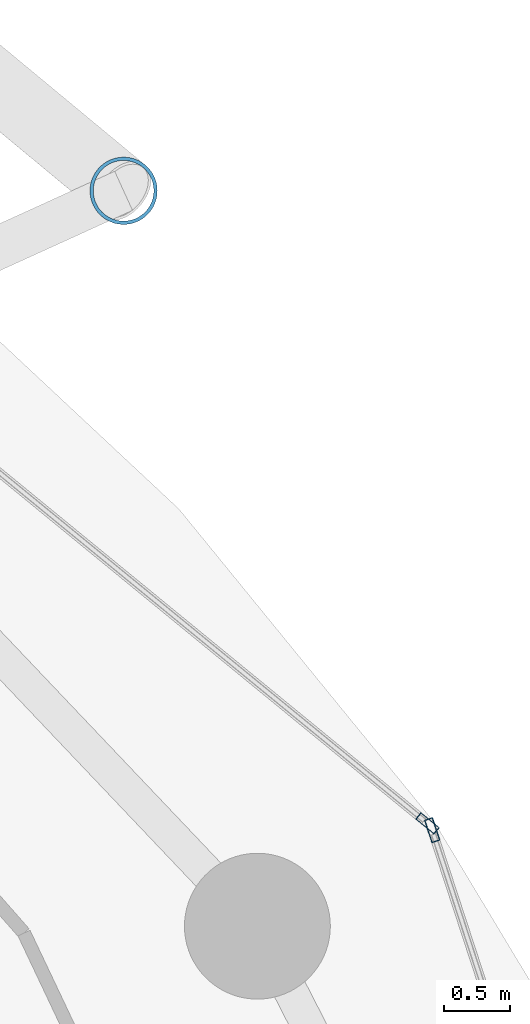
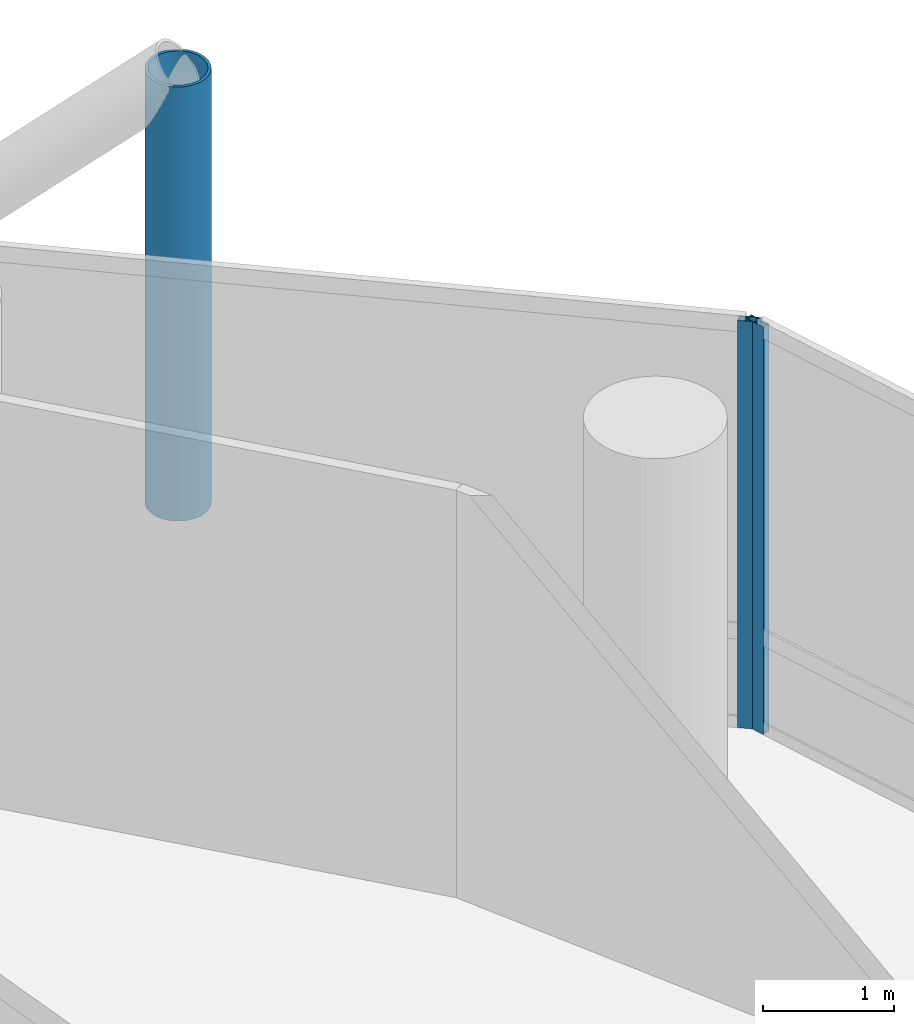
# One storey, part 19 of 26: 3 members, 2 elements without a shape of their own.
"""IFC4 building model written with IfcOpenShell, lengths in metres."""

import ifcopenshell
import ifcopenshell.guid

model = None  # the IFC model being written
_history = None  # IfcOwnerHistory: only IFC2X3 demands one
_inside = {}  # id of a spatial element -> (the spatial element, [elements in it])
_under = {}  # id of a project, library or spatial element -> (it, [spatial elements below it])
_declared = {}  # id of a project -> (the project, [libraries it declares])
_typed = {}  # id of a type object -> (the type object, [elements of that type])
_made_of = {}  # id of a material, layer set ... -> (it, [elements and type objects made of it])


def new_model(schema):
    """Start an empty IFC model of exactly this schema.

    Asked for "IFC4X3", IfcOpenShell would pick the latest addendum, in which some entities
    have other attributes; the version numbers below select the first issue.
    IFC2X3 requires an IfcOwnerHistory on every rooted entity: one is made here for all.
    """
    global model, _history
    if schema == "IFC4X3":
        model = ifcopenshell.file(schema_version=(4, 3, 0, 0))
    else:
        model = ifcopenshell.file(schema=schema)
    _inside.clear()
    _under.clear()
    _declared.clear()
    _typed.clear()
    _made_of.clear()
    _history = None
    if model.schema == "IFC2X3":
        org = make("IfcOrganization", Name="unknown")
        user = make(
            "IfcPersonAndOrganization",
            ThePerson=make("IfcPerson", FamilyName="unknown"),
            TheOrganization=org,
        )
        app = make(
            "IfcApplication",
            ApplicationDeveloper=org,
            Version="unknown",
            ApplicationFullName="unknown",
            ApplicationIdentifier="unknown",
        )
        _history = make(
            "IfcOwnerHistory",
            OwningUser=user,
            OwningApplication=app,
            ChangeAction="ADDED",
            CreationDate=0,
        )
    return model


def make(cls, **values):
    """One entity of the class cls with the attributes given. An attribute that is None is left unset."""
    return model.create_entity(
        cls, **{name: value for name, value in values.items() if value is not None}
    )


def rooted(cls, **values):
    """An entity with a GlobalId (a new one), such as an element, a storey or a relation."""
    return make(cls, GlobalId=ifcopenshell.guid.new(), OwnerHistory=_history, **values)


def si_unit(unit_type, name, prefix=None):
    """IfcSIUnit, for example si_unit("LENGTHUNIT", "METRE", prefix="MILLI")."""
    return make("IfcSIUnit", UnitType=unit_type, Prefix=prefix, Name=name)


def assignment(units):
    """IfcUnitAssignment: the units of a project."""
    return None if units is None else make("IfcUnitAssignment", Units=units)


def point(xyz):
    """IfcCartesianPoint."""
    return None if xyz is None else make("IfcCartesianPoint", Coordinates=xyz)


def direction(xyz):
    """IfcDirection."""
    return None if xyz is None else make("IfcDirection", DirectionRatios=xyz)


def frame(location, z_axis=None, x_axis=None):
    """IfcAxis2Placement3D, a coordinate frame: its origin and axes. An axis left out is left unset."""
    return make(
        "IfcAxis2Placement3D",
        Location=point(location),
        Axis=direction(z_axis),
        RefDirection=direction(x_axis),
    )


def frame_2d(location, x_axis=None):
    """IfcAxis2Placement2D, a coordinate frame in the plane: its origin and x axis."""
    return make(
        "IfcAxis2Placement2D", Location=point(location), RefDirection=direction(x_axis)
    )


def origin():
    """The frame at (0, 0, 0) with its axes left unset."""
    return frame((0.0, 0.0, 0.0))


def origin_2d():
    """The frame at (0, 0) in the plane with its x axis left unset."""
    return frame_2d((0.0, 0.0))


def place(relative_to, where):
    """IfcLocalPlacement: puts the frame where relative to a parent placement (None: the world)."""
    return make(
        "IfcLocalPlacement", PlacementRelTo=relative_to, RelativePlacement=where
    )


def context(
    kind, dimensions, precision=None, world=None, true_north=None, identifier=None
):
    """IfcGeometricRepresentationContext, for example the 3D "Model" context."""
    return make(
        "IfcGeometricRepresentationContext",
        ContextIdentifier=identifier,
        ContextType=kind,
        CoordinateSpaceDimension=dimensions,
        Precision=precision,
        WorldCoordinateSystem=world,
        TrueNorth=true_north,
    )


def subcontext(parent, identifier, kind, view, scale=None):
    """IfcGeometricRepresentationSubContext, for example "Body" below "Model"."""
    return make(
        "IfcGeometricRepresentationSubContext",
        ContextIdentifier=identifier,
        ContextType=kind,
        ParentContext=parent,
        TargetScale=scale,
        TargetView=view,
    )


def project(units=None, contexts=None):
    """IfcProject with its units and contexts."""
    return rooted(
        "IfcProject",
        Name="project",
        RepresentationContexts=contexts,
        UnitsInContext=assignment(units),
    )


def spatial(cls, under=None, at=None, **own):
    """A site, building, storey or space (cls), placed at a placement, below another one or the project."""
    s = rooted(cls, ObjectPlacement=at, **own)
    if under is not None:
        _under.setdefault(under.id(), (under, []))[1].append(s)
    return s


def profile(cls, at=None, kind="AREA", **sizes):
    """A parametric profile (cls). Its sizes go by their IFC names, for example OverallWidth=200.0."""
    return make(cls, ProfileType=kind, Position=at, **sizes)


def hollow_rectangle(**sizes):
    """IfcRectangleHollowProfileDef."""
    return profile("IfcRectangleHollowProfileDef", **sizes)


def hollow_circle(**sizes):
    """IfcCircleHollowProfileDef."""
    return profile("IfcCircleHollowProfileDef", **sizes)


def extrude(swept, where, along, depth):
    """IfcExtrudedAreaSolid: the profile swept, set in the frame where, extruded along a direction by depth."""
    return make(
        "IfcExtrudedAreaSolid",
        SweptArea=swept,
        Position=where,
        ExtrudedDirection=direction(along),
        Depth=depth,
    )


def shape(context_of_items, identifier, shape_type, items):
    """IfcShapeRepresentation: the items that make up one representation, for example the "Body"."""
    return make(
        "IfcShapeRepresentation",
        ContextOfItems=context_of_items,
        RepresentationIdentifier=identifier,
        RepresentationType=shape_type,
        Items=items,
    )


def material(Name=None, Category=None):
    """IfcMaterial."""
    return make("IfcMaterial", Name=Name, Category=Category)


def layer(
    of_material, thickness, ventilated=None, Name=None, Category=None, Priority=None
):
    """IfcMaterialLayer: one layer of a wall or slab, of a material (None: an air gap)."""
    return make(
        "IfcMaterialLayer",
        Material=of_material,
        LayerThickness=thickness,
        IsVentilated=ventilated,
        Name=Name,
        Category=Category,
        Priority=Priority,
    )


def layer_set(layers, Name=None):
    """IfcMaterialLayerSet."""
    return make("IfcMaterialLayerSet", MaterialLayers=layers, LayerSetName=Name)


def material_profile(
    of_material, cross_section, Name=None, Category=None, Priority=None
):
    """IfcMaterialProfile: a cross section and its material."""
    return make(
        "IfcMaterialProfile",
        Name=Name,
        Material=of_material,
        Profile=cross_section,
        Priority=Priority,
        Category=Category,
    )


def profile_set(profiles, Name=None, composite=None):
    """IfcMaterialProfileSet."""
    return make(
        "IfcMaterialProfileSet",
        Name=Name,
        MaterialProfiles=profiles,
        CompositeProfile=composite,
    )


def made_of(thing, what):
    """Note that an element or type object is made of a material, layer set ...; save() writes the relation."""
    if what is not None:
        _made_of.setdefault(what.id(), (what, []))[1].append(thing)
    return thing


def type_object(cls, material=None, **own):
    """A type object (cls), such as IfcWallType, which elements share."""
    return made_of(rooted(cls, **own), material)


def element(
    cls,
    number,
    at=None,
    inside=None,
    cuts=None,
    type_object=None,
    material=None,
    context=None,
    identifier="Body",
    shape_type=None,
    held_by="IfcProductDefinitionShape",
    body=None,
    shapes=None,
    **own,
):
    """One element of the class cls, such as IfcWall. Its Tag is "e" and its number.

    at: its placement. inside: the storey or other place that contains it. cuts: it is an
    opening in that element (IfcRelVoidsElement). A single representation is given by context,
    identifier, shape_type and body (its items); several are given by shapes. held_by: the class
    of the entity that holds the representations. save() writes the other relations.
    """
    e = rooted(cls, Tag="e%d" % number, ObjectPlacement=at, **own)
    if body is not None:
        shapes = [shape(context, identifier, shape_type, body)]
    if shapes is not None:
        e.Representation = make(held_by, Representations=shapes)
    if inside is not None:
        _inside.setdefault(inside.id(), (inside, []))[1].append(e)
    if cuts is not None:
        rooted(
            "IfcRelVoidsElement", RelatingBuildingElement=cuts, RelatedOpeningElement=e
        )
    if type_object is not None:
        _typed.setdefault(type_object.id(), (type_object, []))[1].append(e)
    return made_of(e, material)


def aggregate(whole, parts):
    """IfcRelAggregates: a whole, such as a stair, and the parts it consists of."""
    return rooted("IfcRelAggregates", RelatingObject=whole, RelatedObjects=parts)


def save(model, path):
    """Write the relations noted so far, then the file.

    IfcRelAggregates (storeys below a building ...), IfcRelContainedInSpatialStructure (elements
    in a storey), IfcRelDefinesByType, IfcRelAssociatesMaterial and IfcRelDeclares: one each for
    every whole, place, type object, material and project.
    """
    for whole, parts in _under.values():
        aggregate(whole, parts)
    for where, things in _inside.values():
        rooted(
            "IfcRelContainedInSpatialStructure",
            RelatedElements=things,
            RelatingStructure=where,
        )
    for kind, things in _typed.values():
        rooted("IfcRelDefinesByType", RelatedObjects=things, RelatingType=kind)
    for what, things in _made_of.values():
        rooted("IfcRelAssociatesMaterial", RelatedObjects=things, RelatingMaterial=what)
    for by, libraries in _declared.values():
        rooted("IfcRelDeclares", RelatingContext=by, RelatedDefinitions=libraries)
    model.write(path)


model = new_model("IFC4")

# Units and contexts
model_context = context("Model", 3, precision=1e-05, world=origin(), true_north=direction((0.0, 1.0)))
body_context = subcontext(model_context, "Body", "Model", "MODEL_VIEW")
ifc_project = project(units=[si_unit("LENGTHUNIT", "METRE"), si_unit("AREAUNIT", "SQUARE_METRE"), si_unit("VOLUMEUNIT", "CUBIC_METRE"), si_unit("PLANEANGLEUNIT", "RADIAN"), si_unit("MASSUNIT", "GRAM", prefix="KILO")], contexts=[model_context])

# Site, building, storey
site_placement = place(None, origin())
site = spatial("IfcSite", under=ifc_project, at=site_placement, CompositionType="ELEMENT")
building_placement = place(site_placement, origin())
building = spatial("IfcBuilding", under=site, at=building_placement, Name="Nuhasar Tower", CompositionType="ELEMENT")
storey_placement = place(building_placement, frame((0.0, 0.0, 97.949951171875)))
storey = spatial("IfcBuildingStorey", under=building, at=storey_placement, Name="L23", CompositionType="ELEMENT", Elevation=97.949951171875)

# Curtain wall, member
ifc_material_1 = material(Name="Aluminium 6063-T6", Category="aluminium")
ifc_layer = layer(ifc_material_1, 0.199951171875)
ifc_layer_set = layer_set([ifc_layer], Name="Aluminium 6063-T6")
curtain_wall_type = type_object("IfcCurtainWallType", Name="CW-Z1-OFF", PredefinedType="NOTDEFINED", material=ifc_layer_set)
curtain_wall_1_placement = place(storey_placement, origin())
curtain_wall_1 = element("IfcCurtainWall", 1, at=curtain_wall_1_placement, inside=storey, type_object=curtain_wall_type, Name="L23 Unitised Curtain Wall 01", PredefinedType="NOTDEFINED")
ifc_material_profile_1 = material_profile(ifc_material_1, hollow_rectangle(XDim=0.06494140625, YDim=0.179931640625, WallThickness=0.0048828125, at=origin_2d()), Name="CWM-2")
ifc_profile_set_1 = profile_set([ifc_material_profile_1], Name="Aluminium 6063-T6")
member_type_1 = type_object("IfcMemberType", Name="CW-MUL-S2", PredefinedType="MULLION", material=ifc_profile_set_1)
member_1_placement = place(storey_placement, frame((62.01220703125, 37.649169921875, 0.0), z_axis=(0.0, 0.0, 1.0), x_axis=(-0.950467534571, -0.310823849997, 0.0)))
member_1 = element("IfcMember", 2, at=member_1_placement, type_object=member_type_1, Name="CW-Z1 mullion 2", PredefinedType="MULLION", context=body_context, shape_type="SweptSolid", body=[
    extrude(hollow_rectangle(XDim=0.06494140625, YDim=0.179931640625, WallThickness=0.0048828125, at=origin_2d()), origin(), (0.0, 0.0, 1.0), 3.800048828125),
])
aggregate(curtain_wall_1, [member_1])

curtain_wall_2_placement = place(storey_placement, origin())
curtain_wall_2 = element("IfcCurtainWall", 3, at=curtain_wall_2_placement, inside=storey, type_object=curtain_wall_type, Name="L23 Unitised Curtain Wall 02", PredefinedType="NOTDEFINED")
member_2_placement = place(storey_placement, frame((61.976806640625, 37.70068359375, 0.0), z_axis=(0.0, 0.0, 1.0), x_axis=(-0.633744593376, -0.773542364946, 0.0)))
member_2 = element("IfcMember", 4, at=member_2_placement, type_object=member_type_1, Name="CW-Z1 mullion 1", PredefinedType="MULLION", context=body_context, shape_type="SweptSolid", body=[
    extrude(hollow_rectangle(XDim=0.06494140625, YDim=0.179931640625, WallThickness=0.0048828125, at=origin_2d()), origin(), (0.0, 0.0, 1.0), 3.800048828125),
])
aggregate(curtain_wall_2, [member_2])

# Member
ifc_material_2 = material(Name="Steel S460", Category="steel")
ifc_material_profile_2 = material_profile(ifc_material_2, hollow_circle(Radius=0.25390625, WallThickness=0.025390625, at=origin_2d()), Name="HSS508X25.4")
ifc_profile_set_2 = profile_set([ifc_material_profile_2], Name="Steel S460")
member_type_2 = type_object("IfcMemberType", Name="EXO-BRONZE-508", PredefinedType="BRACE", material=ifc_profile_set_2)
member_3_placement = place(storey_placement, frame((59.68505859375, 42.470947265625, 0.0), z_axis=(0.0, 0.0, 1.0), x_axis=(1.0, 0.0, 0.0)))
element("IfcMember", 5, at=member_3_placement, inside=storey, type_object=member_type_2, Name="L23 Exoskeleton Chord Column EC-02A", PredefinedType="BRACE", context=body_context, shape_type="SweptSolid", body=[
    extrude(hollow_circle(Radius=0.25390625, WallThickness=0.025390625, at=origin_2d()), origin(), (0.0, 0.0, 1.0), 4.050048828125),
])

save(model, "model.ifc")
